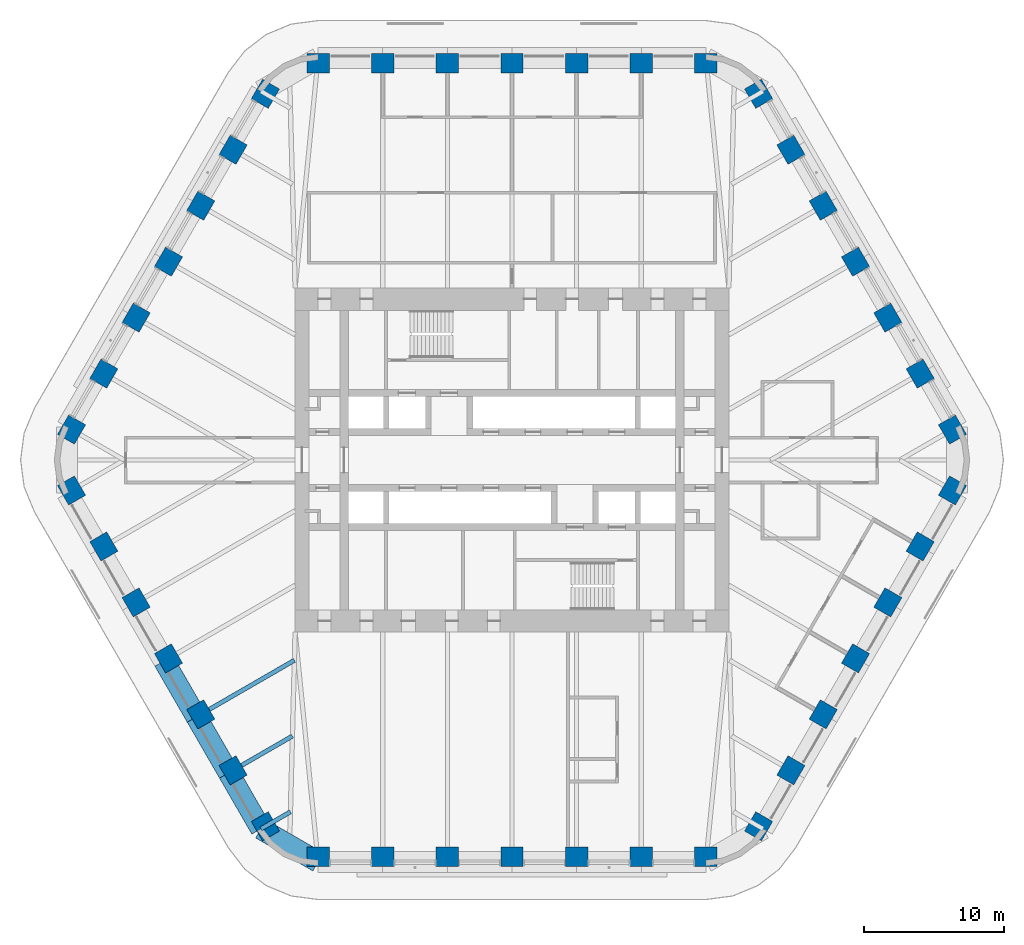
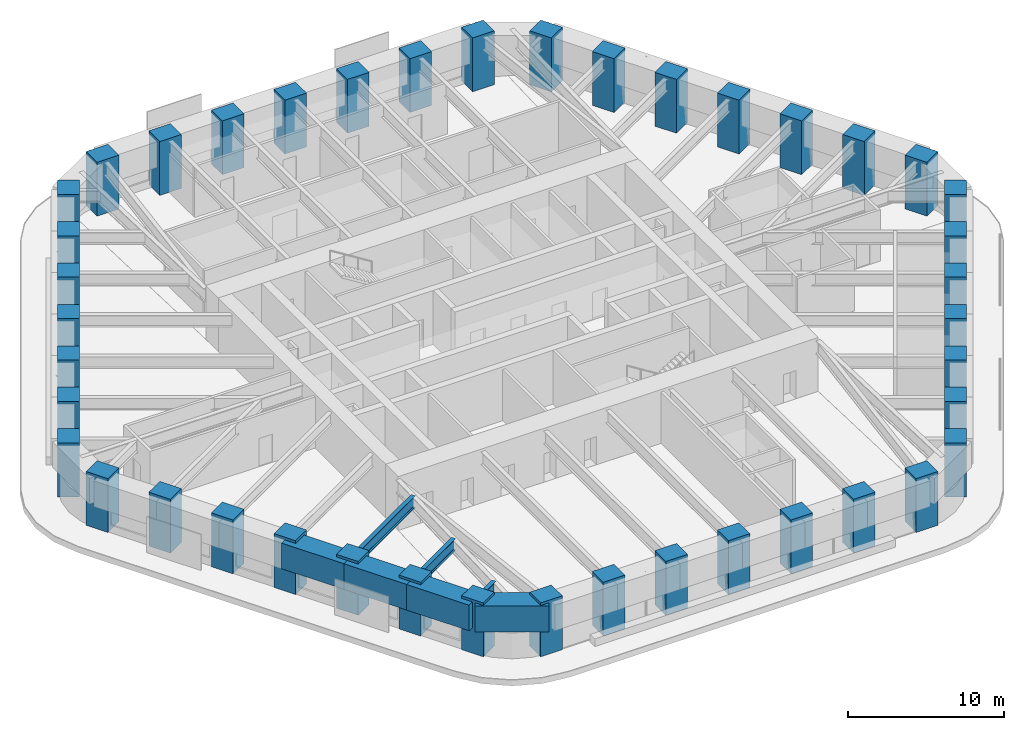
# One storey, part 1 of 20: 42 columns, 7 beams.
"""IFC4 building model written with IfcOpenShell, lengths in metres."""

from ifc_helpers import new_model, si_unit, direction, frame, origin, origin_2d, place, context, subcontext, project, spatial, rectangle, i_section, extrude, material, material_profile, profile_set, type_object, element, save


model = new_model("IFC4")

# Units and contexts
model_context = context("Model", 3, precision=1e-05, world=origin(), true_north=direction((0.0, 1.0)))
body_context = subcontext(model_context, "Body", "Model", "MODEL_VIEW")
ifc_project = project(units=[si_unit("LENGTHUNIT", "METRE"), si_unit("AREAUNIT", "SQUARE_METRE"), si_unit("VOLUMEUNIT", "CUBIC_METRE"), si_unit("PLANEANGLEUNIT", "RADIAN"), si_unit("MASSUNIT", "GRAM", prefix="KILO")], contexts=[model_context])

# Site, building, storey
site_placement = place(None, origin())
site = spatial("IfcSite", under=ifc_project, at=site_placement, CompositionType="ELEMENT")
building_placement = place(site_placement, origin())
building = spatial("IfcBuilding", under=site, at=building_placement, Name="Tarfa Lantern Tower", CompositionType="ELEMENT")
storey_placement = place(building_placement, frame((0.0, 0.0, 219.699951171875)))
storey = spatial("IfcBuildingStorey", under=building, at=storey_placement, Name="L49", CompositionType="ELEMENT", Elevation=219.699951171875)

# Columns
ifc_material_1 = material(Name="Concrete C80/95", Category="concrete")
ifc_material_profile_1 = material_profile(ifc_material_1, rectangle(XDim=1.60009765625, YDim=1.39990234375, at=origin_2d()), Name="RC 1600x1400")
ifc_profile_set_1 = profile_set([ifc_material_profile_1], Name="Concrete C80/95")
column_type = type_object("IfcColumnType", Name="TC9 RC 1600x1400", PredefinedType="COLUMN", material=ifc_profile_set_1)
for number, where, z_axis, x_axis, name in (
    (1, (31.47998046875, 2.175048828125, 0.0), (0.0, 0.0, 1.0), (-0.5, 0.866025403784, 0.0), "Tube column NE0"),
    (2, (29.170654296875, 6.175048828125, 0.0), (0.0, 0.0, 1.0), (-0.5, 0.866025403784, 0.0), "Tube column NE1"),
    (3, (26.861328125, 10.175048828125, 0.0), (0.0, 0.0, 1.0), (-0.5, 0.866025403784, 0.0), "Tube column NE2"),
    (4, (24.5517578125, 14.175048828125, 0.0), (0.0, 0.0, 1.0), (-0.5, 0.866025403784, 0.0), "Tube column NE3"),
    (5, (22.242431640625, 18.175048828125, 0.0), (0.0, 0.0, 1.0), (-0.5, 0.866025403784, 0.0), "Tube column NE4"),
    (6, (19.93310546875, 22.175048828125, 0.0), (0.0, 0.0, 1.0), (-0.5, 0.866025403784, 0.0), "Tube column NE5"),
    (7, (17.62353515625, 26.175048828125, 0.0), (0.0, 0.0, 1.0), (-0.5, 0.866025403784, 0.0), "Tube column NE6"),
    (8, (13.8564453125, 28.35009765625, 0.0), (0.0, 0.0, 1.0), (-1.0, 0.0, 0.0), "Tube column N0"),
    (9, (9.237548828125, 28.35009765625, 0.0), (0.0, 0.0, 1.0), (-1.0, 0.0, 0.0), "Tube column N1"),
    (10, (4.618896484375, 28.35009765625, 0.0), (0.0, 0.0, 1.0), (-1.0, 0.0, 0.0), "Tube column N2"),
    (11, (0.0, 28.35009765625, 0.0), (0.0, 0.0, 1.0), (-1.0, 0.0, 0.0), "Tube column N3"),
    (12, (-4.618896484375, 28.35009765625, 0.0), (0.0, 0.0, 1.0), (-1.0, 0.0, 0.0), "Tube column N4"),
    (13, (-9.237548828125, 28.35009765625, 0.0), (0.0, 0.0, 1.0), (-1.0, 0.0, 0.0), "Tube column N5"),
    (14, (-13.8564453125, 28.35009765625, 0.0), (0.0, 0.0, 1.0), (-1.0, 0.0, 0.0), "Tube column N6"),
    (15, (-17.62353515625, 26.175048828125, 0.0), (0.0, 0.0, 1.0), (-0.5, -0.866025403784, 0.0), "Tube column NW0"),
    (16, (-19.93310546875, 22.175048828125, 0.0), (0.0, 0.0, 1.0), (-0.5, -0.866025403784, 0.0), "Tube column NW1"),
    (17, (-22.242431640625, 18.175048828125, 0.0), (0.0, 0.0, 1.0), (-0.5, -0.866025403784, 0.0), "Tube column NW2"),
    (18, (-24.5517578125, 14.175048828125, 0.0), (0.0, 0.0, 1.0), (-0.5, -0.866025403784, 0.0), "Tube column NW3"),
    (19, (-26.861328125, 10.175048828125, 0.0), (0.0, 0.0, 1.0), (-0.5, -0.866025403784, 0.0), "Tube column NW4"),
    (20, (-29.170654296875, 6.175048828125, 0.0), (0.0, 0.0, 1.0), (-0.5, -0.866025403784, 0.0), "Tube column NW5"),
    (21, (-31.47998046875, 2.175048828125, 0.0), (0.0, 0.0, 1.0), (-0.5, -0.866025403784, 0.0), "Tube column NW6"),
    (22, (-31.47998046875, -2.175048828125, 0.0), (0.0, 0.0, 1.0), (0.5, -0.866025403784, 0.0), "Tube column SW0"),
    (23, (-29.170654296875, -6.175048828125, 0.0), (0.0, 0.0, 1.0), (0.5, -0.866025403784, 0.0), "Tube column SW1"),
    (24, (-26.861328125, -10.175048828125, 0.0), (0.0, 0.0, 1.0), (0.5, -0.866025403784, 0.0), "Tube column SW2"),
    (25, (-24.5517578125, -14.175048828125, 0.0), (0.0, 0.0, 1.0), (0.5, -0.866025403784, 0.0), "Tube column SW3"),
    (26, (-22.242431640625, -18.175048828125, 0.0), (0.0, 0.0, 1.0), (0.5, -0.866025403784, 0.0), "Tube column SW4"),
    (27, (-19.93310546875, -22.175048828125, 0.0), (0.0, 0.0, 1.0), (0.5, -0.866025403784, 0.0), "Tube column SW5"),
    (28, (-17.62353515625, -26.175048828125, 0.0), (0.0, 0.0, 1.0), (0.5, -0.866025403784, 0.0), "Tube column SW6"),
    (29, (-13.8564453125, -28.35009765625, 0.0), (0.0, 0.0, 1.0), (1.0, 0.0, 0.0), "Tube column S0"),
    (30, (-9.237548828125, -28.35009765625, 0.0), (0.0, 0.0, 1.0), (1.0, 0.0, 0.0), "Tube column S1"),
    (31, (-4.618896484375, -28.35009765625, 0.0), (0.0, 0.0, 1.0), (1.0, 0.0, 0.0), "Tube column S2"),
    (32, (0.0, -28.35009765625, 0.0), (0.0, 0.0, 1.0), (1.0, 0.0, 0.0), "Tube column S3"),
    (33, (4.618896484375, -28.35009765625, 0.0), (0.0, 0.0, 1.0), (1.0, 0.0, 0.0), "Tube column S4"),
    (34, (9.237548828125, -28.35009765625, 0.0), (0.0, 0.0, 1.0), (1.0, 0.0, 0.0), "Tube column S5"),
    (35, (13.8564453125, -28.35009765625, 0.0), (0.0, 0.0, 1.0), (1.0, 0.0, 0.0), "Tube column S6"),
    (36, (17.62353515625, -26.175048828125, 0.0), (0.0, 0.0, 1.0), (0.5, 0.866025403784, 0.0), "Tube column SE0"),
    (37, (19.93310546875, -22.175048828125, 0.0), (0.0, 0.0, 1.0), (0.5, 0.866025403784, 0.0), "Tube column SE1"),
    (38, (22.242431640625, -18.175048828125, 0.0), (0.0, 0.0, 1.0), (0.5, 0.866025403784, 0.0), "Tube column SE2"),
    (39, (24.5517578125, -14.175048828125, 0.0), (0.0, 0.0, 1.0), (0.5, 0.866025403784, 0.0), "Tube column SE3"),
    (40, (26.861328125, -10.175048828125, 0.0), (0.0, 0.0, 1.0), (0.5, 0.866025403784, 0.0), "Tube column SE4"),
    (41, (29.170654296875, -6.175048828125, 0.0), (0.0, 0.0, 1.0), (0.5, 0.866025403784, 0.0), "Tube column SE5"),
    (42, (31.47998046875, -2.175048828125, 0.0), (0.0, 0.0, 1.0), (0.5, 0.866025403784, 0.0), "Tube column SE6"),
):
    element("IfcColumn", number, at=place(storey_placement, frame(where, z_axis=z_axis, x_axis=x_axis)), inside=storey, type_object=column_type, Name=name, PredefinedType="COLUMN", context=body_context, shape_type="SweptSolid", body=[
        extrude(rectangle(XDim=1.60009765625, YDim=1.39990234375, at=origin_2d()), origin(), (0.0, 0.0, 1.0), 4.199951171875),
    ])

# Beams
ifc_material_profile_2 = material_profile(ifc_material_1, rectangle(XDim=1.5, YDim=2.0, at=origin_2d()), Name="RC 1500x2000")
ifc_profile_set_2 = profile_set([ifc_material_profile_2], Name="Concrete C80/95")
beam_type_1 = type_object("IfcBeamType", Name="RB3 RC 1500x2000", PredefinedType="BEAM", material=ifc_profile_set_2)
beam_1_placement = place(storey_placement, frame((-24.872314453125, -14.360107421875, 3.0), z_axis=(0.500027479704, -0.866009537788, 0.0), x_axis=(0.866009537788, 0.500027479704, 0.0)))
element("IfcBeam", 43, at=beam_1_placement, inside=storey, type_object=beam_type_1, Name="Edge beam SW3", PredefinedType="BEAM", context=body_context, shape_type="SweptSolid", body=[
    extrude(rectangle(XDim=1.5, YDim=2.0, at=origin_2d()), origin(), (0.0, 0.0, 1.0), 4.618896484375),
])
for number, where, z_axis, x_axis, name in (
    (44, (-22.562744140625, -18.360107421875, 3.0), (0.499987836815, -0.866032426089, 0.0), (0.866032426089, 0.499987836815, 0.0), "Edge beam SW4"),
    (45, (-20.25341796875, -22.360107421875, 3.0), (0.499987836815, -0.866032426089, 0.0), (0.866032426089, 0.499987836815, 0.0), "Edge beam SW5"),
):
    element("IfcBeam", number, at=place(storey_placement, frame(where, z_axis=z_axis, x_axis=x_axis)), inside=storey, type_object=beam_type_1, Name=name, PredefinedType="BEAM", context=body_context, shape_type="SweptSolid", body=[
        extrude(rectangle(XDim=1.5, YDim=2.0, at=origin_2d()), origin(), (0.0, 0.0, 1.0), 4.61865234375),
    ])
beam_2_placement = place(storey_placement, frame((-17.944091796875, -26.360107421875, 3.0), z_axis=(0.866038294681, -0.499977671647, 0.0), x_axis=(0.499977671647, 0.866038294681, 0.0)))
element("IfcBeam", 46, at=beam_2_placement, inside=storey, type_object=beam_type_1, Name="Edge beam SW6", PredefinedType="BEAM", context=body_context, shape_type="SweptSolid", body=[
    extrude(rectangle(XDim=1.5, YDim=2.0, at=origin_2d()), origin(), (0.0, 0.0, 1.0), 4.719970703125),
])
ifc_material_2 = material(Name="Steel S460M", Category="steel")
ifc_material_profile_3 = material_profile(ifc_material_2, i_section(OverallWidth=0.305419921875, OverallDepth=0.91845703125, WebThickness=0.017333984375, FlangeThickness=0.02783203125, FilletRadius=0.01904296875, at=origin_2d()), Name="UB914x305x253")
ifc_profile_set_3 = profile_set([ifc_material_profile_3], Name="Steel S460M")
beam_type_2 = type_object("IfcBeamType", Name="UB914x305x253", PredefinedType="BEAM", material=ifc_profile_set_3)
beam_3_placement = place(storey_placement, frame((-22.562744140625, -18.360107421875, 3.540771484375), z_axis=(0.866010787764, 0.500025314835, 0.0), x_axis=(-0.500025314835, 0.866010787764, 0.0)))
element("IfcBeam", 47, at=beam_3_placement, inside=storey, type_object=beam_type_2, Name="Floor beam SW4", PredefinedType="BEAM", context=body_context, shape_type="SweptSolid", body=[
    extrude(i_section(OverallWidth=0.305419921875, OverallDepth=0.91845703125, WebThickness=0.017333984375, FlangeThickness=0.02783203125, FilletRadius=0.01904296875, at=origin_2d()), origin(), (0.0, 0.0, 1.0), 8.09423828125),
])
beam_4_placement = place(storey_placement, frame((-20.25341796875, -22.360107421875, 3.540771484375), z_axis=(0.86601951648, 0.500010196972, 0.0), x_axis=(-0.500010196972, 0.86601951648, 0.0)))
element("IfcBeam", 48, at=beam_4_placement, inside=storey, type_object=beam_type_2, Name="Floor beam SW5", PredefinedType="BEAM", context=body_context, shape_type="SweptSolid", body=[
    extrude(i_section(OverallWidth=0.305419921875, OverallDepth=0.91845703125, WebThickness=0.017333984375, FlangeThickness=0.02783203125, FilletRadius=0.01904296875, at=origin_2d()), origin(), (0.0, 0.0, 1.0), 5.263671875),
])
beam_5_placement = place(storey_placement, frame((-17.944091796875, -26.360107421875, 3.540771484375), z_axis=(0.865980009423, 0.5000786171, 0.0), x_axis=(-0.5000786171, 0.865980009423, 0.0)))
element("IfcBeam", 49, at=beam_5_placement, inside=storey, type_object=beam_type_2, Name="Floor beam SW6", PredefinedType="BEAM", context=body_context, shape_type="SweptSolid", body=[
    extrude(i_section(OverallWidth=0.305419921875, OverallDepth=0.91845703125, WebThickness=0.017333984375, FlangeThickness=0.02783203125, FilletRadius=0.01904296875, at=origin_2d()), origin(), (0.0, 0.0, 1.0), 2.4326171875),
])

save(model, "model.ifc")
